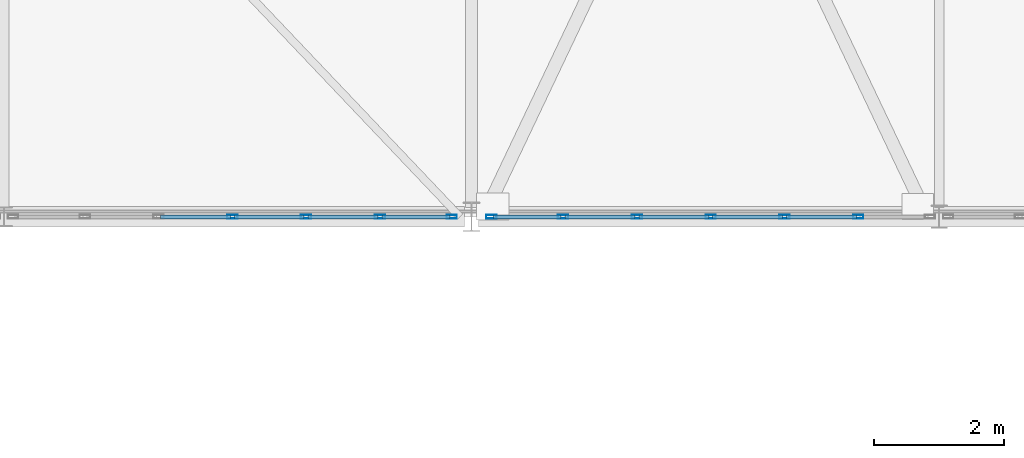
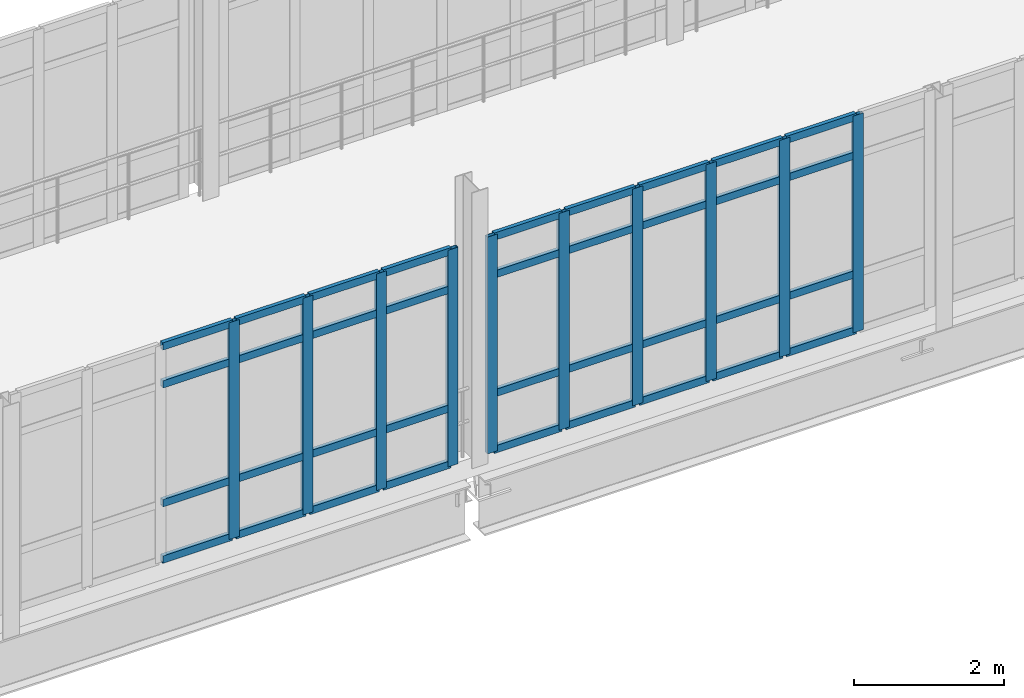
# One storey, part 19 of 124: 46 members, 2 elements without a shape of their own.
"""IFC4 building model written with IfcOpenShell, lengths in metres."""

from ifc_helpers import new_model, si_unit, direction, frame, origin, origin_2d, place, context, subcontext, project, spatial, hollow_rectangle, extrude, material, material_profile, profile_set, type_object, element, aggregate, save


model = new_model("IFC4")

# Units and contexts
model_context = context("Model", 3, precision=1e-05, world=origin(), true_north=direction((0.0, 1.0)))
body_context = subcontext(model_context, "Body", "Model", "MODEL_VIEW")
ifc_project = project(units=[si_unit("LENGTHUNIT", "METRE"), si_unit("AREAUNIT", "SQUARE_METRE"), si_unit("VOLUMEUNIT", "CUBIC_METRE"), si_unit("PLANEANGLEUNIT", "RADIAN"), si_unit("MASSUNIT", "GRAM", prefix="KILO")], contexts=[model_context])

# Site, building, storey
site_placement = place(None, origin())
site = spatial("IfcSite", under=ifc_project, at=site_placement, CompositionType="ELEMENT")
building_placement = place(site_placement, origin())
building = spatial("IfcBuilding", under=site, at=building_placement, Name="Kalluvel Institute of Natural Sciences", CompositionType="ELEMENT")
storey_placement = place(building_placement, frame((0.0, 0.0, 9.89990234375)))
storey = spatial("IfcBuildingStorey", under=building, at=storey_placement, Name="L02", CompositionType="ELEMENT", Elevation=9.89990234375)

# Curtain wall, members
ifc_material = material(Name="Aluminium AW-6063 T6", Category="aluminium")
curtain_wall_type = type_object("IfcCurtainWallType", Name="CW-BRG-45", PredefinedType="USERDEFINED", material=ifc_material)
curtain_wall_1_placement = place(storey_placement, origin())
curtain_wall_1 = element("IfcCurtainWall", 1, at=curtain_wall_1_placement, inside=storey, type_object=curtain_wall_type, Name="L02 Gothic lancet curtain wall CWA-L02-X429-Y284", ObjectType="UNITISED LANCET FACADE", PredefinedType="USERDEFINED")
ifc_material_profile_1 = material_profile(ifc_material, hollow_rectangle(XDim=0.06005859375, YDim=0.159912109375, WallThickness=0.00390625, at=origin_2d()), Name="CWM 60x160")
ifc_profile_set_1 = profile_set([ifc_material_profile_1], Name="Aluminium AW-6063 T6")
member_type_1 = type_object("IfcMemberType", Name="CWM-60x160", PredefinedType="MULLION", material=ifc_profile_set_1)
member_1_placement = place(storey_placement, frame((46.3173828125, 28.39990234375, 0.0), z_axis=(0.0, 0.0, 1.0), x_axis=(0.0, 1.0, 0.0)))
member_1 = element("IfcMember", 2, at=member_1_placement, type_object=member_type_1, Name="CW-07 mullion 4", PredefinedType="MULLION", context=body_context, shape_type="SweptSolid", body=[
    extrude(hollow_rectangle(XDim=0.06005859375, YDim=0.159912109375, WallThickness=0.00390625, at=origin_2d()), origin(), (0.0, 0.0, 1.0), 3.5400390625),
])
member_2_placement = place(storey_placement, frame((47.453369140625, 28.39990234375, 0.0), z_axis=(0.0, 0.0, 1.0), x_axis=(0.0, 1.0, 0.0)))
member_2 = element("IfcMember", 3, at=member_2_placement, type_object=member_type_1, Name="CW-07 mullion 5", PredefinedType="MULLION", context=body_context, shape_type="SweptSolid", body=[
    extrude(hollow_rectangle(XDim=0.06005859375, YDim=0.159912109375, WallThickness=0.00390625, at=origin_2d()), origin(), (0.0, 0.0, 1.0), 3.5400390625),
])
member_3_placement = place(storey_placement, frame((48.589111328125, 28.39990234375, 0.0), z_axis=(0.0, 0.0, 1.0), x_axis=(0.0, 1.0, 0.0)))
member_3 = element("IfcMember", 4, at=member_3_placement, type_object=member_type_1, Name="CW-07 mullion 6", PredefinedType="MULLION", context=body_context, shape_type="SweptSolid", body=[
    extrude(hollow_rectangle(XDim=0.06005859375, YDim=0.159912109375, WallThickness=0.00390625, at=origin_2d()), origin(), (0.0, 0.0, 1.0), 3.5400390625),
])
member_4_placement = place(storey_placement, frame((49.695068359375, 28.39990234375, 0.0), z_axis=(0.0, 0.0, 1.0), x_axis=(0.0, 1.0, 0.0)))
member_4 = element("IfcMember", 5, at=member_4_placement, type_object=member_type_1, Name="CW-07 mullion 7", PredefinedType="MULLION", context=body_context, shape_type="SweptSolid", body=[
    extrude(hollow_rectangle(XDim=0.06005859375, YDim=0.159912109375, WallThickness=0.00390625, at=origin_2d()), origin(), (0.0, 0.0, 1.0), 3.5400390625),
])

curtain_wall_2_placement = place(storey_placement, origin())
curtain_wall_2 = element("IfcCurtainWall", 6, at=curtain_wall_2_placement, inside=storey, type_object=curtain_wall_type, Name="L02 Gothic lancet curtain wall CWA-L02-X503-Y284", ObjectType="UNITISED LANCET FACADE", PredefinedType="USERDEFINED")
member_5_placement = place(storey_placement, frame((50.304931640625, 28.39990234375, 0.0), z_axis=(0.0, 0.0, 1.0), x_axis=(0.0, 1.0, 0.0)))
member_5 = element("IfcMember", 7, at=member_5_placement, type_object=member_type_1, Name="CW-07 mullion 1", PredefinedType="MULLION", context=body_context, shape_type="SweptSolid", body=[
    extrude(hollow_rectangle(XDim=0.06005859375, YDim=0.159912109375, WallThickness=0.00390625, at=origin_2d()), origin(), (0.0, 0.0, 1.0), 3.5400390625),
])
member_6_placement = place(storey_placement, frame((51.410888671875, 28.39990234375, 0.0), z_axis=(0.0, 0.0, 1.0), x_axis=(0.0, 1.0, 0.0)))
member_6 = element("IfcMember", 8, at=member_6_placement, type_object=member_type_1, Name="CW-07 mullion 2", PredefinedType="MULLION", context=body_context, shape_type="SweptSolid", body=[
    extrude(hollow_rectangle(XDim=0.06005859375, YDim=0.159912109375, WallThickness=0.00390625, at=origin_2d()), origin(), (0.0, 0.0, 1.0), 3.5400390625),
])
member_7_placement = place(storey_placement, frame((52.546630859375, 28.39990234375, 0.0), z_axis=(0.0, 0.0, 1.0), x_axis=(0.0, 1.0, 0.0)))
member_7 = element("IfcMember", 9, at=member_7_placement, type_object=member_type_1, Name="CW-07 mullion 3", PredefinedType="MULLION", context=body_context, shape_type="SweptSolid", body=[
    extrude(hollow_rectangle(XDim=0.06005859375, YDim=0.159912109375, WallThickness=0.00390625, at=origin_2d()), origin(), (0.0, 0.0, 1.0), 3.5400390625),
])
member_8_placement = place(storey_placement, frame((53.6826171875, 28.39990234375, 0.0), z_axis=(0.0, 0.0, 1.0), x_axis=(0.0, 1.0, 0.0)))
member_8 = element("IfcMember", 10, at=member_8_placement, type_object=member_type_1, Name="CW-07 mullion 4", PredefinedType="MULLION", context=body_context, shape_type="SweptSolid", body=[
    extrude(hollow_rectangle(XDim=0.06005859375, YDim=0.159912109375, WallThickness=0.00390625, at=origin_2d()), origin(), (0.0, 0.0, 1.0), 3.5400390625),
])
member_9_placement = place(storey_placement, frame((54.818359375, 28.39990234375, 0.0), z_axis=(0.0, 0.0, 1.0), x_axis=(0.0, 1.0, 0.0)))
member_9 = element("IfcMember", 11, at=member_9_placement, type_object=member_type_1, Name="CW-07 mullion 5", PredefinedType="MULLION", context=body_context, shape_type="SweptSolid", body=[
    extrude(hollow_rectangle(XDim=0.06005859375, YDim=0.159912109375, WallThickness=0.00390625, at=origin_2d()), origin(), (0.0, 0.0, 1.0), 3.5400390625),
])
member_10_placement = place(storey_placement, frame((55.9541015625, 28.39990234375, 0.0), z_axis=(0.0, 0.0, 1.0), x_axis=(0.0, 1.0, 0.0)))
member_10 = element("IfcMember", 12, at=member_10_placement, type_object=member_type_1, Name="CW-07 mullion 6", PredefinedType="MULLION", context=body_context, shape_type="SweptSolid", body=[
    extrude(hollow_rectangle(XDim=0.06005859375, YDim=0.159912109375, WallThickness=0.00390625, at=origin_2d()), origin(), (0.0, 0.0, 1.0), 3.5400390625),
])

# Member
ifc_material_profile_2 = material_profile(ifc_material, hollow_rectangle(XDim=0.06005859375, YDim=0.1201171875, WallThickness=0.00390625, at=origin_2d()), Name="CWT 60x120")
ifc_profile_set_2 = profile_set([ifc_material_profile_2], Name="Aluminium AW-6063 T6")
member_type_2 = type_object("IfcMemberType", Name="CWT-60x120", PredefinedType="USERDEFINED", material=ifc_profile_set_2)
member_11_placement = place(storey_placement, frame((45.211669921875, 28.39990234375, 0.030029296875), z_axis=(1.0, 0.0, 0.0), x_axis=(0.0, 1.0, 0.0)))
member_11 = element("IfcMember", 13, at=member_11_placement, type_object=member_type_2, Name="CW-07 transom 3.1", ObjectType="TRANSOM", PredefinedType="USERDEFINED", context=body_context, shape_type="SweptSolid", body=[
    extrude(hollow_rectangle(XDim=0.06005859375, YDim=0.1201171875, WallThickness=0.00390625, at=origin_2d()), origin(), (0.0, 0.0, 1.0), 1.075927734375),
])

member_12_placement = place(storey_placement, frame((45.211669921875, 28.39990234375, 0.9501953125), z_axis=(1.0, 0.0, 0.0), x_axis=(0.0, 1.0, 0.0)))
member_12 = element("IfcMember", 14, at=member_12_placement, type_object=member_type_2, Name="CW-07 transom 3.2", ObjectType="TRANSOM", PredefinedType="USERDEFINED", context=body_context, shape_type="SweptSolid", body=[
    extrude(hollow_rectangle(XDim=0.06005859375, YDim=0.1201171875, WallThickness=0.00390625, at=origin_2d()), origin(), (0.0, 0.0, 1.0), 1.075927734375),
])

member_13_placement = place(storey_placement, frame((45.211669921875, 28.39990234375, 2.89013671875), z_axis=(1.0, 0.0, 0.0), x_axis=(0.0, 1.0, 0.0)))
member_13 = element("IfcMember", 15, at=member_13_placement, type_object=member_type_2, Name="CW-07 transom 3.3", ObjectType="TRANSOM", PredefinedType="USERDEFINED", context=body_context, shape_type="SweptSolid", body=[
    extrude(hollow_rectangle(XDim=0.06005859375, YDim=0.1201171875, WallThickness=0.00390625, at=origin_2d()), origin(), (0.0, 0.0, 1.0), 1.075927734375),
])

member_14_placement = place(storey_placement, frame((45.211669921875, 28.39990234375, 3.510009765625), z_axis=(1.0, 0.0, 0.0), x_axis=(0.0, 1.0, 0.0)))
member_14 = element("IfcMember", 16, at=member_14_placement, type_object=member_type_2, Name="CW-07 transom 3.4", ObjectType="TRANSOM", PredefinedType="USERDEFINED", context=body_context, shape_type="SweptSolid", body=[
    extrude(hollow_rectangle(XDim=0.06005859375, YDim=0.1201171875, WallThickness=0.00390625, at=origin_2d()), origin(), (0.0, 0.0, 1.0), 1.075927734375),
])

member_15_placement = place(storey_placement, frame((46.347412109375, 28.39990234375, 0.030029296875), z_axis=(1.0, 0.0, 0.0), x_axis=(0.0, 1.0, 0.0)))
member_15 = element("IfcMember", 17, at=member_15_placement, type_object=member_type_2, Name="CW-07 transom 4.1", ObjectType="TRANSOM", PredefinedType="USERDEFINED", context=body_context, shape_type="SweptSolid", body=[
    extrude(hollow_rectangle(XDim=0.06005859375, YDim=0.1201171875, WallThickness=0.00390625, at=origin_2d()), origin(), (0.0, 0.0, 1.0), 1.075927734375),
])

member_16_placement = place(storey_placement, frame((46.347412109375, 28.39990234375, 0.9501953125), z_axis=(1.0, 0.0, 0.0), x_axis=(0.0, 1.0, 0.0)))
member_16 = element("IfcMember", 18, at=member_16_placement, type_object=member_type_2, Name="CW-07 transom 4.2", ObjectType="TRANSOM", PredefinedType="USERDEFINED", context=body_context, shape_type="SweptSolid", body=[
    extrude(hollow_rectangle(XDim=0.06005859375, YDim=0.1201171875, WallThickness=0.00390625, at=origin_2d()), origin(), (0.0, 0.0, 1.0), 1.075927734375),
])

member_17_placement = place(storey_placement, frame((46.347412109375, 28.39990234375, 2.89013671875), z_axis=(1.0, 0.0, 0.0), x_axis=(0.0, 1.0, 0.0)))
member_17 = element("IfcMember", 19, at=member_17_placement, type_object=member_type_2, Name="CW-07 transom 4.3", ObjectType="TRANSOM", PredefinedType="USERDEFINED", context=body_context, shape_type="SweptSolid", body=[
    extrude(hollow_rectangle(XDim=0.06005859375, YDim=0.1201171875, WallThickness=0.00390625, at=origin_2d()), origin(), (0.0, 0.0, 1.0), 1.075927734375),
])

member_18_placement = place(storey_placement, frame((46.347412109375, 28.39990234375, 3.510009765625), z_axis=(1.0, 0.0, 0.0), x_axis=(0.0, 1.0, 0.0)))
member_18 = element("IfcMember", 20, at=member_18_placement, type_object=member_type_2, Name="CW-07 transom 4.4", ObjectType="TRANSOM", PredefinedType="USERDEFINED", context=body_context, shape_type="SweptSolid", body=[
    extrude(hollow_rectangle(XDim=0.06005859375, YDim=0.1201171875, WallThickness=0.00390625, at=origin_2d()), origin(), (0.0, 0.0, 1.0), 1.075927734375),
])

member_19_placement = place(storey_placement, frame((47.4833984375, 28.39990234375, 0.030029296875), z_axis=(1.0, 0.0, 0.0), x_axis=(0.0, 1.0, 0.0)))
member_19 = element("IfcMember", 21, at=member_19_placement, type_object=member_type_2, Name="CW-07 transom 5.1", ObjectType="TRANSOM", PredefinedType="USERDEFINED", context=body_context, shape_type="SweptSolid", body=[
    extrude(hollow_rectangle(XDim=0.06005859375, YDim=0.1201171875, WallThickness=0.00390625, at=origin_2d()), origin(), (0.0, 0.0, 1.0), 1.07568359375),
])

member_20_placement = place(storey_placement, frame((47.4833984375, 28.39990234375, 0.9501953125), z_axis=(1.0, 0.0, 0.0), x_axis=(0.0, 1.0, 0.0)))
member_20 = element("IfcMember", 22, at=member_20_placement, type_object=member_type_2, Name="CW-07 transom 5.2", ObjectType="TRANSOM", PredefinedType="USERDEFINED", context=body_context, shape_type="SweptSolid", body=[
    extrude(hollow_rectangle(XDim=0.06005859375, YDim=0.1201171875, WallThickness=0.00390625, at=origin_2d()), origin(), (0.0, 0.0, 1.0), 1.07568359375),
])

member_21_placement = place(storey_placement, frame((47.4833984375, 28.39990234375, 2.89013671875), z_axis=(1.0, 0.0, 0.0), x_axis=(0.0, 1.0, 0.0)))
member_21 = element("IfcMember", 23, at=member_21_placement, type_object=member_type_2, Name="CW-07 transom 5.3", ObjectType="TRANSOM", PredefinedType="USERDEFINED", context=body_context, shape_type="SweptSolid", body=[
    extrude(hollow_rectangle(XDim=0.06005859375, YDim=0.1201171875, WallThickness=0.00390625, at=origin_2d()), origin(), (0.0, 0.0, 1.0), 1.07568359375),
])

member_22_placement = place(storey_placement, frame((47.4833984375, 28.39990234375, 3.510009765625), z_axis=(1.0, 0.0, 0.0), x_axis=(0.0, 1.0, 0.0)))
member_22 = element("IfcMember", 24, at=member_22_placement, type_object=member_type_2, Name="CW-07 transom 5.4", ObjectType="TRANSOM", PredefinedType="USERDEFINED", context=body_context, shape_type="SweptSolid", body=[
    extrude(hollow_rectangle(XDim=0.06005859375, YDim=0.1201171875, WallThickness=0.00390625, at=origin_2d()), origin(), (0.0, 0.0, 1.0), 1.07568359375),
])

member_23_placement = place(storey_placement, frame((48.619140625, 28.39990234375, 0.030029296875), z_axis=(1.0, 0.0, 0.0), x_axis=(0.0, 1.0, 0.0)))
member_23 = element("IfcMember", 25, at=member_23_placement, type_object=member_type_2, Name="CW-07 transom 6.1", ObjectType="TRANSOM", PredefinedType="USERDEFINED", context=body_context, shape_type="SweptSolid", body=[
    extrude(hollow_rectangle(XDim=0.06005859375, YDim=0.1201171875, WallThickness=0.00390625, at=origin_2d()), origin(), (0.0, 0.0, 1.0), 1.0458984375),
])

member_24_placement = place(storey_placement, frame((48.619140625, 28.39990234375, 0.9501953125), z_axis=(1.0, 0.0, 0.0), x_axis=(0.0, 1.0, 0.0)))
member_24 = element("IfcMember", 26, at=member_24_placement, type_object=member_type_2, Name="CW-07 transom 6.2", ObjectType="TRANSOM", PredefinedType="USERDEFINED", context=body_context, shape_type="SweptSolid", body=[
    extrude(hollow_rectangle(XDim=0.06005859375, YDim=0.1201171875, WallThickness=0.00390625, at=origin_2d()), origin(), (0.0, 0.0, 1.0), 1.0458984375),
])

member_25_placement = place(storey_placement, frame((48.619140625, 28.39990234375, 2.89013671875), z_axis=(1.0, 0.0, 0.0), x_axis=(0.0, 1.0, 0.0)))
member_25 = element("IfcMember", 27, at=member_25_placement, type_object=member_type_2, Name="CW-07 transom 6.3", ObjectType="TRANSOM", PredefinedType="USERDEFINED", context=body_context, shape_type="SweptSolid", body=[
    extrude(hollow_rectangle(XDim=0.06005859375, YDim=0.1201171875, WallThickness=0.00390625, at=origin_2d()), origin(), (0.0, 0.0, 1.0), 1.0458984375),
])

member_26_placement = place(storey_placement, frame((48.619140625, 28.39990234375, 3.510009765625), z_axis=(1.0, 0.0, 0.0), x_axis=(0.0, 1.0, 0.0)))
member_26 = element("IfcMember", 28, at=member_26_placement, type_object=member_type_2, Name="CW-07 transom 6.4", ObjectType="TRANSOM", PredefinedType="USERDEFINED", context=body_context, shape_type="SweptSolid", body=[
    extrude(hollow_rectangle(XDim=0.06005859375, YDim=0.1201171875, WallThickness=0.00390625, at=origin_2d()), origin(), (0.0, 0.0, 1.0), 1.0458984375),
])

aggregate(curtain_wall_1, [member_1, member_2, member_3, member_4, member_11, member_12, member_13, member_14, member_15, member_16, member_17, member_18, member_19, member_20, member_21, member_22, member_23, member_24, member_25, member_26])

member_27_placement = place(storey_placement, frame((50.3349609375, 28.39990234375, 0.030029296875), z_axis=(1.0, 0.0, 0.0), x_axis=(0.0, 1.0, 0.0)))
member_27 = element("IfcMember", 29, at=member_27_placement, type_object=member_type_2, Name="CW-07 transom 1.1", ObjectType="TRANSOM", PredefinedType="USERDEFINED", context=body_context, shape_type="SweptSolid", body=[
    extrude(hollow_rectangle(XDim=0.06005859375, YDim=0.1201171875, WallThickness=0.00390625, at=origin_2d()), origin(), (0.0, 0.0, 1.0), 1.0458984375),
])

member_28_placement = place(storey_placement, frame((50.3349609375, 28.39990234375, 0.9501953125), z_axis=(1.0, 0.0, 0.0), x_axis=(0.0, 1.0, 0.0)))
member_28 = element("IfcMember", 30, at=member_28_placement, type_object=member_type_2, Name="CW-07 transom 1.2", ObjectType="TRANSOM", PredefinedType="USERDEFINED", context=body_context, shape_type="SweptSolid", body=[
    extrude(hollow_rectangle(XDim=0.06005859375, YDim=0.1201171875, WallThickness=0.00390625, at=origin_2d()), origin(), (0.0, 0.0, 1.0), 1.0458984375),
])

member_29_placement = place(storey_placement, frame((50.3349609375, 28.39990234375, 2.89013671875), z_axis=(1.0, 0.0, 0.0), x_axis=(0.0, 1.0, 0.0)))
member_29 = element("IfcMember", 31, at=member_29_placement, type_object=member_type_2, Name="CW-07 transom 1.3", ObjectType="TRANSOM", PredefinedType="USERDEFINED", context=body_context, shape_type="SweptSolid", body=[
    extrude(hollow_rectangle(XDim=0.06005859375, YDim=0.1201171875, WallThickness=0.00390625, at=origin_2d()), origin(), (0.0, 0.0, 1.0), 1.0458984375),
])

member_30_placement = place(storey_placement, frame((50.3349609375, 28.39990234375, 3.510009765625), z_axis=(1.0, 0.0, 0.0), x_axis=(0.0, 1.0, 0.0)))
member_30 = element("IfcMember", 32, at=member_30_placement, type_object=member_type_2, Name="CW-07 transom 1.4", ObjectType="TRANSOM", PredefinedType="USERDEFINED", context=body_context, shape_type="SweptSolid", body=[
    extrude(hollow_rectangle(XDim=0.06005859375, YDim=0.1201171875, WallThickness=0.00390625, at=origin_2d()), origin(), (0.0, 0.0, 1.0), 1.0458984375),
])

member_31_placement = place(storey_placement, frame((51.44091796875, 28.39990234375, 0.030029296875), z_axis=(1.0, 0.0, 0.0), x_axis=(0.0, 1.0, 0.0)))
member_31 = element("IfcMember", 33, at=member_31_placement, type_object=member_type_2, Name="CW-07 transom 2.1", ObjectType="TRANSOM", PredefinedType="USERDEFINED", context=body_context, shape_type="SweptSolid", body=[
    extrude(hollow_rectangle(XDim=0.06005859375, YDim=0.1201171875, WallThickness=0.00390625, at=origin_2d()), origin(), (0.0, 0.0, 1.0), 1.07568359375),
])

member_32_placement = place(storey_placement, frame((51.44091796875, 28.39990234375, 0.9501953125), z_axis=(1.0, 0.0, 0.0), x_axis=(0.0, 1.0, 0.0)))
member_32 = element("IfcMember", 34, at=member_32_placement, type_object=member_type_2, Name="CW-07 transom 2.2", ObjectType="TRANSOM", PredefinedType="USERDEFINED", context=body_context, shape_type="SweptSolid", body=[
    extrude(hollow_rectangle(XDim=0.06005859375, YDim=0.1201171875, WallThickness=0.00390625, at=origin_2d()), origin(), (0.0, 0.0, 1.0), 1.07568359375),
])

member_33_placement = place(storey_placement, frame((51.44091796875, 28.39990234375, 2.89013671875), z_axis=(1.0, 0.0, 0.0), x_axis=(0.0, 1.0, 0.0)))
member_33 = element("IfcMember", 35, at=member_33_placement, type_object=member_type_2, Name="CW-07 transom 2.3", ObjectType="TRANSOM", PredefinedType="USERDEFINED", context=body_context, shape_type="SweptSolid", body=[
    extrude(hollow_rectangle(XDim=0.06005859375, YDim=0.1201171875, WallThickness=0.00390625, at=origin_2d()), origin(), (0.0, 0.0, 1.0), 1.07568359375),
])

member_34_placement = place(storey_placement, frame((51.44091796875, 28.39990234375, 3.510009765625), z_axis=(1.0, 0.0, 0.0), x_axis=(0.0, 1.0, 0.0)))
member_34 = element("IfcMember", 36, at=member_34_placement, type_object=member_type_2, Name="CW-07 transom 2.4", ObjectType="TRANSOM", PredefinedType="USERDEFINED", context=body_context, shape_type="SweptSolid", body=[
    extrude(hollow_rectangle(XDim=0.06005859375, YDim=0.1201171875, WallThickness=0.00390625, at=origin_2d()), origin(), (0.0, 0.0, 1.0), 1.07568359375),
])

member_35_placement = place(storey_placement, frame((52.57666015625, 28.39990234375, 0.030029296875), z_axis=(1.0, 0.0, 0.0), x_axis=(0.0, 1.0, 0.0)))
member_35 = element("IfcMember", 37, at=member_35_placement, type_object=member_type_2, Name="CW-07 transom 3.1", ObjectType="TRANSOM", PredefinedType="USERDEFINED", context=body_context, shape_type="SweptSolid", body=[
    extrude(hollow_rectangle(XDim=0.06005859375, YDim=0.1201171875, WallThickness=0.00390625, at=origin_2d()), origin(), (0.0, 0.0, 1.0), 1.075927734375),
])

member_36_placement = place(storey_placement, frame((52.57666015625, 28.39990234375, 0.9501953125), z_axis=(1.0, 0.0, 0.0), x_axis=(0.0, 1.0, 0.0)))
member_36 = element("IfcMember", 38, at=member_36_placement, type_object=member_type_2, Name="CW-07 transom 3.2", ObjectType="TRANSOM", PredefinedType="USERDEFINED", context=body_context, shape_type="SweptSolid", body=[
    extrude(hollow_rectangle(XDim=0.06005859375, YDim=0.1201171875, WallThickness=0.00390625, at=origin_2d()), origin(), (0.0, 0.0, 1.0), 1.075927734375),
])

member_37_placement = place(storey_placement, frame((52.57666015625, 28.39990234375, 2.89013671875), z_axis=(1.0, 0.0, 0.0), x_axis=(0.0, 1.0, 0.0)))
member_37 = element("IfcMember", 39, at=member_37_placement, type_object=member_type_2, Name="CW-07 transom 3.3", ObjectType="TRANSOM", PredefinedType="USERDEFINED", context=body_context, shape_type="SweptSolid", body=[
    extrude(hollow_rectangle(XDim=0.06005859375, YDim=0.1201171875, WallThickness=0.00390625, at=origin_2d()), origin(), (0.0, 0.0, 1.0), 1.075927734375),
])

member_38_placement = place(storey_placement, frame((52.57666015625, 28.39990234375, 3.510009765625), z_axis=(1.0, 0.0, 0.0), x_axis=(0.0, 1.0, 0.0)))
member_38 = element("IfcMember", 40, at=member_38_placement, type_object=member_type_2, Name="CW-07 transom 3.4", ObjectType="TRANSOM", PredefinedType="USERDEFINED", context=body_context, shape_type="SweptSolid", body=[
    extrude(hollow_rectangle(XDim=0.06005859375, YDim=0.1201171875, WallThickness=0.00390625, at=origin_2d()), origin(), (0.0, 0.0, 1.0), 1.075927734375),
])

member_39_placement = place(storey_placement, frame((53.71240234375, 28.39990234375, 0.030029296875), z_axis=(1.0, 0.0, 0.0), x_axis=(0.0, 1.0, 0.0)))
member_39 = element("IfcMember", 41, at=member_39_placement, type_object=member_type_2, Name="CW-07 transom 4.1", ObjectType="TRANSOM", PredefinedType="USERDEFINED", context=body_context, shape_type="SweptSolid", body=[
    extrude(hollow_rectangle(XDim=0.06005859375, YDim=0.1201171875, WallThickness=0.00390625, at=origin_2d()), origin(), (0.0, 0.0, 1.0), 1.075927734375),
])

member_40_placement = place(storey_placement, frame((53.71240234375, 28.39990234375, 0.9501953125), z_axis=(1.0, 0.0, 0.0), x_axis=(0.0, 1.0, 0.0)))
member_40 = element("IfcMember", 42, at=member_40_placement, type_object=member_type_2, Name="CW-07 transom 4.2", ObjectType="TRANSOM", PredefinedType="USERDEFINED", context=body_context, shape_type="SweptSolid", body=[
    extrude(hollow_rectangle(XDim=0.06005859375, YDim=0.1201171875, WallThickness=0.00390625, at=origin_2d()), origin(), (0.0, 0.0, 1.0), 1.075927734375),
])

member_41_placement = place(storey_placement, frame((53.71240234375, 28.39990234375, 2.89013671875), z_axis=(1.0, 0.0, 0.0), x_axis=(0.0, 1.0, 0.0)))
member_41 = element("IfcMember", 43, at=member_41_placement, type_object=member_type_2, Name="CW-07 transom 4.3", ObjectType="TRANSOM", PredefinedType="USERDEFINED", context=body_context, shape_type="SweptSolid", body=[
    extrude(hollow_rectangle(XDim=0.06005859375, YDim=0.1201171875, WallThickness=0.00390625, at=origin_2d()), origin(), (0.0, 0.0, 1.0), 1.075927734375),
])

member_42_placement = place(storey_placement, frame((53.71240234375, 28.39990234375, 3.510009765625), z_axis=(1.0, 0.0, 0.0), x_axis=(0.0, 1.0, 0.0)))
member_42 = element("IfcMember", 44, at=member_42_placement, type_object=member_type_2, Name="CW-07 transom 4.4", ObjectType="TRANSOM", PredefinedType="USERDEFINED", context=body_context, shape_type="SweptSolid", body=[
    extrude(hollow_rectangle(XDim=0.06005859375, YDim=0.1201171875, WallThickness=0.00390625, at=origin_2d()), origin(), (0.0, 0.0, 1.0), 1.075927734375),
])

member_43_placement = place(storey_placement, frame((54.848388671875, 28.39990234375, 0.030029296875), z_axis=(1.0, 0.0, 0.0), x_axis=(0.0, 1.0, 0.0)))
member_43 = element("IfcMember", 45, at=member_43_placement, type_object=member_type_2, Name="CW-07 transom 5.1", ObjectType="TRANSOM", PredefinedType="USERDEFINED", context=body_context, shape_type="SweptSolid", body=[
    extrude(hollow_rectangle(XDim=0.06005859375, YDim=0.1201171875, WallThickness=0.00390625, at=origin_2d()), origin(), (0.0, 0.0, 1.0), 1.07568359375),
])

member_44_placement = place(storey_placement, frame((54.848388671875, 28.39990234375, 0.9501953125), z_axis=(1.0, 0.0, 0.0), x_axis=(0.0, 1.0, 0.0)))
member_44 = element("IfcMember", 46, at=member_44_placement, type_object=member_type_2, Name="CW-07 transom 5.2", ObjectType="TRANSOM", PredefinedType="USERDEFINED", context=body_context, shape_type="SweptSolid", body=[
    extrude(hollow_rectangle(XDim=0.06005859375, YDim=0.1201171875, WallThickness=0.00390625, at=origin_2d()), origin(), (0.0, 0.0, 1.0), 1.07568359375),
])

member_45_placement = place(storey_placement, frame((54.848388671875, 28.39990234375, 2.89013671875), z_axis=(1.0, 0.0, 0.0), x_axis=(0.0, 1.0, 0.0)))
member_45 = element("IfcMember", 47, at=member_45_placement, type_object=member_type_2, Name="CW-07 transom 5.3", ObjectType="TRANSOM", PredefinedType="USERDEFINED", context=body_context, shape_type="SweptSolid", body=[
    extrude(hollow_rectangle(XDim=0.06005859375, YDim=0.1201171875, WallThickness=0.00390625, at=origin_2d()), origin(), (0.0, 0.0, 1.0), 1.07568359375),
])

member_46_placement = place(storey_placement, frame((54.848388671875, 28.39990234375, 3.510009765625), z_axis=(1.0, 0.0, 0.0), x_axis=(0.0, 1.0, 0.0)))
member_46 = element("IfcMember", 48, at=member_46_placement, type_object=member_type_2, Name="CW-07 transom 5.4", ObjectType="TRANSOM", PredefinedType="USERDEFINED", context=body_context, shape_type="SweptSolid", body=[
    extrude(hollow_rectangle(XDim=0.06005859375, YDim=0.1201171875, WallThickness=0.00390625, at=origin_2d()), origin(), (0.0, 0.0, 1.0), 1.07568359375),
])

aggregate(curtain_wall_2, [member_5, member_6, member_7, member_8, member_9, member_10, member_27, member_28, member_29, member_30, member_31, member_32, member_33, member_34, member_35, member_36, member_37, member_38, member_39, member_40, member_41, member_42, member_43, member_44, member_45, member_46])

save(model, "model.ifc")
